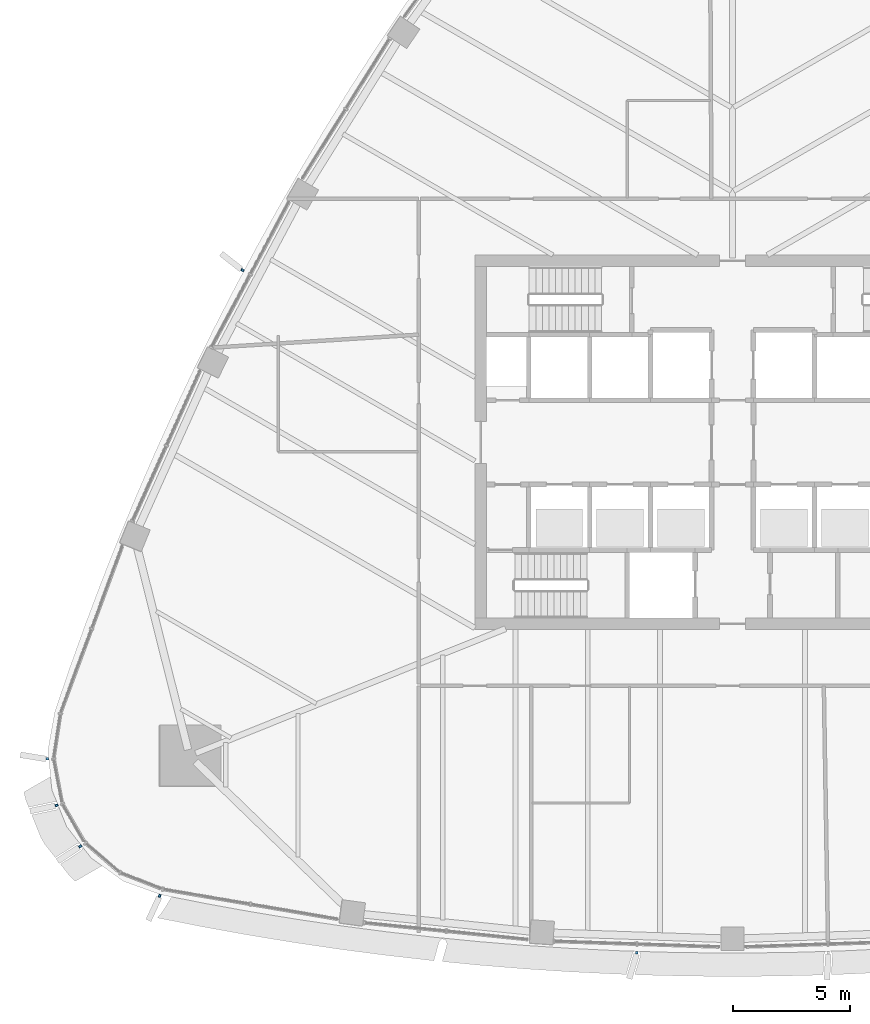
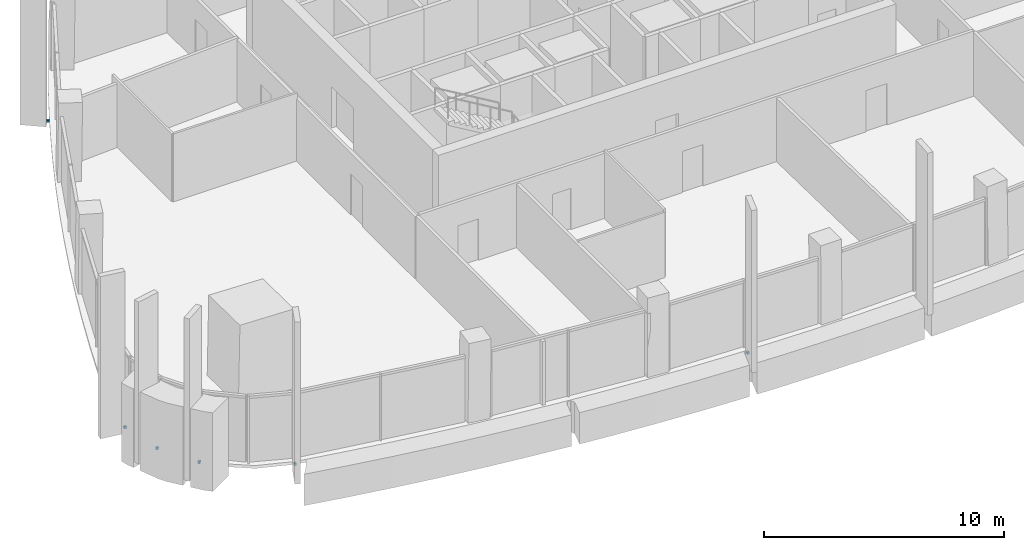
# One storey, part 13 of 19: 6 discrete accessories.
"""IFC4 building model written with IfcOpenShell, lengths in metres."""

from ifc_helpers import new_model, si_unit, direction, frame, origin, origin_2d, place, context, subcontext, project, spatial, rectangle, extrude, material, type_object, element, save


model = new_model("IFC4")

# Units and contexts
model_context = context("Model", 3, precision=1e-05, world=origin(), true_north=direction((0.0, 1.0)))
body_context = subcontext(model_context, "Body", "Model", "MODEL_VIEW")
ifc_project = project(units=[si_unit("LENGTHUNIT", "METRE"), si_unit("AREAUNIT", "SQUARE_METRE"), si_unit("VOLUMEUNIT", "CUBIC_METRE"), si_unit("PLANEANGLEUNIT", "RADIAN"), si_unit("MASSUNIT", "GRAM", prefix="KILO")], contexts=[model_context])

# Site, building, storey
site_placement = place(None, origin())
site = spatial("IfcSite", under=ifc_project, at=site_placement, CompositionType="ELEMENT")
building_placement = place(site_placement, origin())
building = spatial("IfcBuilding", under=site, at=building_placement, Name="Sierra Prisma Convention Tower", CompositionType="ELEMENT")
storey_placement = place(building_placement, frame((0.0, 0.0, 193.800048828125)))
storey = spatial("IfcBuildingStorey", under=building, at=storey_placement, Name="L43", CompositionType="ELEMENT", Elevation=193.800048828125)

# Discrete accessories
ifc_material = material(Name="Stainless steel 316", Category="steel")
discrete_accessory_type = type_object("IfcDiscreteAccessoryType", Name="Fin bracket", PredefinedType="BRACKET", material=ifc_material)
for number, where, z_axis, x_axis, name in (
    (1, (-24.462646484375, -19.364013671875, -0.135009765625), (0.0, 0.0, 1.0), (-0.337165430061, -0.941445416778, 0.0), "Fin bracket L43.1 base"),
    (2, (-4.0908203125, -21.79541015625, -0.135009765625), (0.0, 0.0, 1.0), (-0.032513591467, -0.99947129342, 0.0), "Fin bracket L43.8 base"),
    (3, (-20.9208984375, 7.35498046875, -0.135009765625), (0.0, 0.0, 1.0), (-0.881824326188, 0.471578050531, 0.0), "Fin bracket L43.55 base"),
    (4, (-29.2626953125, -13.514404296875, -0.135009765625), (0.0, 0.0, 1.0), (-0.994840837047, -0.101448060321, 0.0), "Fin bracket L43.63 base"),
    (5, (-28.866455078125, -15.498779296875, -0.135009765625), (0.0, 0.0, 1.0), (-0.927570063325, -0.373649270872, 0.0), "Fin bracket L43.64 base"),
    (6, (-27.85546875, -17.249755859375, -0.135009765625), (0.0, 0.0, 1.0), (-0.787374792343, -0.616474603193, 0.0), "Fin bracket L43.65 base"),
):
    element("IfcDiscreteAccessory", number, at=place(storey_placement, frame(where, z_axis=z_axis, x_axis=x_axis)), inside=storey, type_object=discrete_accessory_type, Name=name, PredefinedType="BRACKET", context=body_context, shape_type="SweptSolid", body=[
        extrude(rectangle(XDim=0.1201171875, YDim=0.10009765625, at=origin_2d()), origin(), (0.0, 0.0, 1.0), 0.1201171875),
    ])

save(model, "model.ifc")
